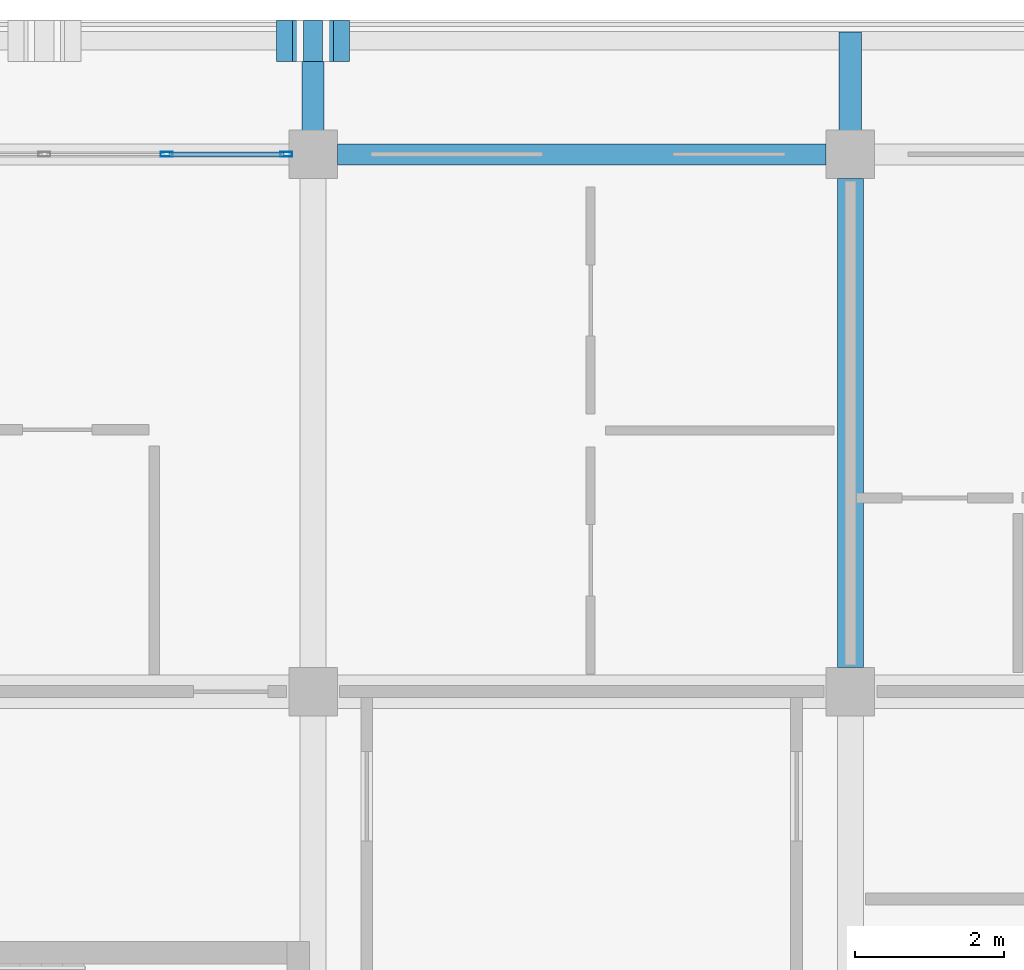
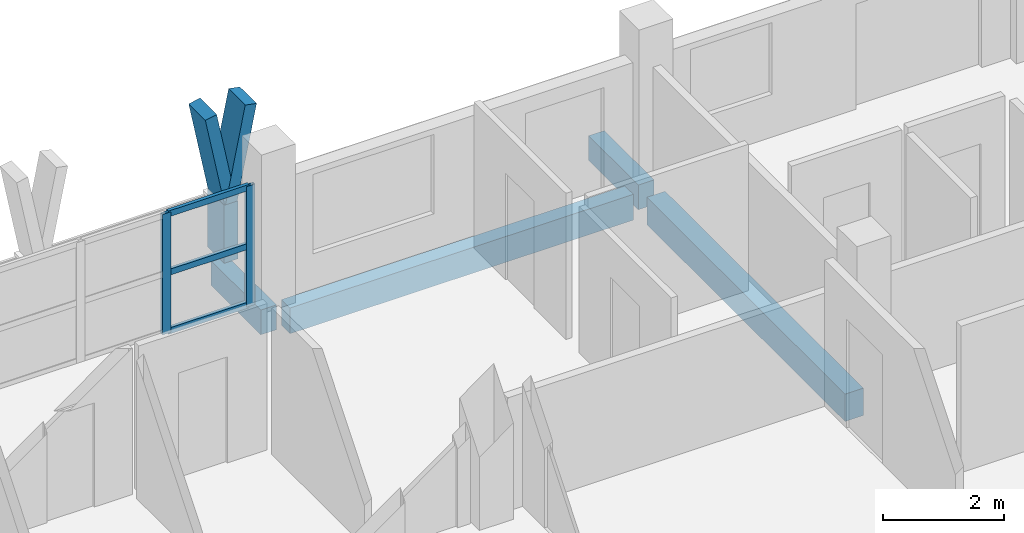
# One storey, part 20 of 78: 8 members, 4 beams, 1 element without a shape of its own.
"""IFC4 building model written with IfcOpenShell, lengths in metres."""

from ifc_helpers import new_model, si_unit, direction, frame, origin, origin_2d, place, context, subcontext, project, spatial, rectangle, hollow_rectangle, extrude, material, material_profile, profile_set, type_object, element, aggregate, save


model = new_model("IFC4")

# Units and contexts
model_context = context("Model", 3, precision=1e-05, world=origin(), true_north=direction((0.0, 1.0)))
body_context = subcontext(model_context, "Body", "Model", "MODEL_VIEW")
ifc_project = project(units=[si_unit("LENGTHUNIT", "METRE"), si_unit("AREAUNIT", "SQUARE_METRE"), si_unit("VOLUMEUNIT", "CUBIC_METRE"), si_unit("PLANEANGLEUNIT", "RADIAN"), si_unit("MASSUNIT", "GRAM", prefix="KILO")], contexts=[model_context])

# Site, building, storey
site_placement = place(None, origin())
site = spatial("IfcSite", under=ifc_project, at=site_placement, CompositionType="ELEMENT")
building_placement = place(site_placement, origin())
building = spatial("IfcBuilding", under=site, at=building_placement, Name="Suanplinth Sawtooth Commons", CompositionType="ELEMENT")
storey_placement = place(building_placement, frame((0.0, 0.0, 15.39990234375)))
storey = spatial("IfcBuildingStorey", under=building, at=storey_placement, Name="L04", CompositionType="ELEMENT", Elevation=15.39990234375)

# Beams
ifc_material_1 = material(Name="Precast concrete C40/50", Category="concrete")
ifc_material_profile_1 = material_profile(ifc_material_1, rectangle(XDim=0.35009765625, YDim=0.550048828125, at=origin_2d()), Name="PC-BM 350x550")
ifc_profile_set_1 = profile_set([ifc_material_profile_1], Name="Precast concrete C40/50")
beam_type_1 = type_object("IfcBeamType", Name="B-06", PredefinedType="BEAM", material=ifc_profile_set_1)
beam_1_placement = place(storey_placement, frame((72.0, 115.52490234375, -0.494873046875), z_axis=(0.0, 1.0, 0.0), x_axis=(-1.0, 0.0, 0.0)))
element("IfcBeam", 1, at=beam_1_placement, inside=storey, type_object=beam_type_1, Name="BMY-L04-A-10-16", PredefinedType="BEAM", context=body_context, shape_type="SweptSolid", body=[
    extrude(rectangle(XDim=0.35009765625, YDim=0.550048828125, at=origin_2d()), origin(), (0.0, 0.0, 1.0), 6.550048828125),
])
ifc_material_profile_2 = material_profile(ifc_material_1, rectangle(XDim=0.300048828125, YDim=0.5, at=origin_2d()), Name="PC-BM 300x500")
ifc_profile_set_2 = profile_set([ifc_material_profile_2], Name="Precast concrete C40/50")
beam_type_2 = type_object("IfcBeamType", Name="B-07", PredefinedType="BEAM", material=ifc_profile_set_2)
for number, where, z_axis, x_axis, name in (
    (2, (64.800048828125, 122.39990234375, -0.429931640625), (0.0, 1.0, 0.0), (-1.0, 0.0, 0.0), "Balcony Outrigger L04-A-N-9"),
    (3, (72.0, 122.39990234375, -0.429931640625), (0.0, 1.0, 0.0), (-1.0, 0.0, 0.0), "Balcony Outrigger L04-A-N-10"),
):
    element("IfcBeam", number, at=place(storey_placement, frame(where, z_axis=z_axis, x_axis=x_axis)), inside=storey, type_object=beam_type_2, Name=name, PredefinedType="BEAM", context=body_context, shape_type="SweptSolid", body=[
        extrude(rectangle(XDim=0.300048828125, YDim=0.5, at=origin_2d()), origin(), (0.0, 0.0, 1.0), 1.64013671875),
    ])
ifc_material_profile_3 = material_profile(ifc_material_1, rectangle(XDim=0.280029296875, YDim=0.52001953125, at=origin_2d()), Name="PC-SP 280x520")
ifc_profile_set_3 = profile_set([ifc_material_profile_3], Name="Precast concrete C40/50")
beam_type_3 = type_object("IfcBeamType", Name="B-08", PredefinedType="SPANDREL", material=ifc_profile_set_3)
beam_2_placement = place(storey_placement, frame((65.125, 122.39990234375, -0.47998046875), z_axis=(1.0, 0.0, 0.0), x_axis=(0.0, 1.0, 0.0)))
element("IfcBeam", 4, at=beam_2_placement, inside=storey, type_object=beam_type_3, Name="BMX-L04-A-9-17", PredefinedType="SPANDREL", context=body_context, shape_type="SweptSolid", body=[
    extrude(rectangle(XDim=0.280029296875, YDim=0.52001953125, at=origin_2d()), origin(), (0.0, 0.0, 1.0), 6.550048828125),
])

# Members
ifc_material_2 = material(Name="Pigmented precast concrete C40/50", Category="concrete")
ifc_material_profile_4 = material_profile(ifc_material_2, rectangle(XDim=0.260009765625, YDim=0.550048828125, at=origin_2d()), Name="PC-FIN 260x550")
ifc_profile_set_4 = profile_set([ifc_material_profile_4], Name="Pigmented precast concrete C40/50")
member_type_1 = type_object("IfcMemberType", Name="M-09", PredefinedType="USERDEFINED", material=ifc_profile_set_4)
member_1_placement = place(storey_placement, frame((64.800048828125, 123.919921875, 0.0), z_axis=(0.0, 0.0, 1.0), x_axis=(1.0, 0.0, 0.0)))
element("IfcMember", 5, at=member_1_placement, inside=storey, type_object=member_type_1, Name="Y-Blade Stem L04-A-N-06", ObjectType="SHADING FIN", PredefinedType="USERDEFINED", context=body_context, shape_type="SweptSolid", body=[
    extrude(rectangle(XDim=0.260009765625, YDim=0.550048828125, at=origin_2d()), origin(), (0.0, 0.0, 1.0), 1.170166015625),
])
ifc_material_profile_5 = material_profile(ifc_material_2, rectangle(XDim=0.219970703125, YDim=0.550048828125, at=origin_2d()), Name="PC-FIN 220x550")
ifc_profile_set_5 = profile_set([ifc_material_profile_5], Name="Pigmented precast concrete C40/50")
member_type_2 = type_object("IfcMemberType", Name="M-10", PredefinedType="USERDEFINED", material=ifc_profile_set_5)
member_2_placement = place(storey_placement, frame((64.800048828125, 123.919921875, 1.130126953125), z_axis=(-0.196431120402, 0.0, 0.980517626021), x_axis=(0.980517626021, 0.0, 0.196431120402)))
element("IfcMember", 6, at=member_2_placement, inside=storey, type_object=member_type_2, Name="Y-Blade Arm L L04-A-N-06", ObjectType="SHADING FIN", PredefinedType="USERDEFINED", context=body_context, shape_type="SweptSolid", body=[
    extrude(rectangle(XDim=0.219970703125, YDim=0.550048828125, at=origin_2d()), origin(), (0.0, 0.0, 1.0), 1.937744140625),
])
member_3_placement = place(storey_placement, frame((64.800048828125, 123.919921875, 1.130126953125), z_axis=(0.196309979414, 0.0, 0.980541886909), x_axis=(-0.980541886909, 0.0, 0.196309979414)))
element("IfcMember", 7, at=member_3_placement, inside=storey, type_object=member_type_2, Name="Y-Blade Arm R L04-A-N-06", ObjectType="SHADING FIN", PredefinedType="USERDEFINED", context=body_context, shape_type="SweptSolid", body=[
    extrude(rectangle(XDim=0.219970703125, YDim=0.550048828125, at=origin_2d()), origin(), (0.0, 0.0, 1.0), 1.9375),
])

# Curtain wall, members
ifc_material_3 = material(Name="Anodized aluminium and low-E glazing", Category="aluminium")
curtain_wall_type = type_object("IfcCurtainWallType", Name="CW-06", PredefinedType="USERDEFINED", material=ifc_material_3)
curtain_wall_placement = place(storey_placement, origin())
curtain_wall = element("IfcCurtainWall", 8, at=curtain_wall_placement, inside=storey, type_object=curtain_wall_type, Name="Curtain Wall CW-L04-A-LOUNGE-8", ObjectType="CURTAIN WALL", PredefinedType="USERDEFINED")
ifc_material_4 = material(Name="Anodized aluminium 6063-T6", Category="aluminium")
ifc_material_profile_6 = material_profile(ifc_material_4, hollow_rectangle(XDim=0.06494140625, YDim=0.159912109375, WallThickness=0.00390625, at=origin_2d()), Name="ALU-MUL 65x160")
ifc_profile_set_6 = profile_set([ifc_material_profile_6], Name="Anodized aluminium 6063-T6")
member_type_3 = type_object("IfcMemberType", Name="M-13", PredefinedType="MULLION", material=ifc_profile_set_6)
member_4_placement = place(storey_placement, frame((62.83740234375, 122.39990234375, 0.0), z_axis=(0.0, 0.0, 1.0), x_axis=(0.0, 1.0, 0.0)))
member_4 = element("IfcMember", 9, at=member_4_placement, type_object=member_type_3, Name="CW-06 mullion 4", PredefinedType="MULLION", context=body_context, shape_type="SweptSolid", body=[
    extrude(hollow_rectangle(XDim=0.06494140625, YDim=0.159912109375, WallThickness=0.00390625, at=origin_2d()), origin(), (0.0, 0.0, 1.0), 2.43017578125),
])
member_5_placement = place(storey_placement, frame((64.4423828125, 122.39990234375, 0.0), z_axis=(0.0, 0.0, 1.0), x_axis=(0.0, 1.0, 0.0)))
member_5 = element("IfcMember", 10, at=member_5_placement, type_object=member_type_3, Name="CW-06 mullion 5", PredefinedType="MULLION", context=body_context, shape_type="SweptSolid", body=[
    extrude(hollow_rectangle(XDim=0.06494140625, YDim=0.159912109375, WallThickness=0.00390625, at=origin_2d()), origin(), (0.0, 0.0, 1.0), 2.43017578125),
])
ifc_material_profile_7 = material_profile(ifc_material_4, hollow_rectangle(XDim=0.06494140625, YDim=0.1201171875, WallThickness=0.00390625, at=origin_2d()), Name="ALU-TRN 65x120")
ifc_profile_set_7 = profile_set([ifc_material_profile_7], Name="Anodized aluminium 6063-T6")
member_type_4 = type_object("IfcMemberType", Name="M-15", PredefinedType="USERDEFINED", material=ifc_profile_set_7)
member_6_placement = place(storey_placement, frame((62.8701171875, 122.39990234375, 0.03271484375), z_axis=(1.0, 0.0, 0.0), x_axis=(0.0, 1.0, 0.0)))
member_6 = element("IfcMember", 11, at=member_6_placement, type_object=member_type_4, Name="CW-06 transom 4.1", ObjectType="TRANSOM", PredefinedType="USERDEFINED", context=body_context, shape_type="SweptSolid", body=[
    extrude(hollow_rectangle(XDim=0.06494140625, YDim=0.1201171875, WallThickness=0.00390625, at=origin_2d()), origin(), (0.0, 0.0, 1.0), 1.539794921875),
])
member_7_placement = place(storey_placement, frame((62.8701171875, 122.39990234375, 1.215087890625), z_axis=(1.0, 0.0, 0.0), x_axis=(0.0, 1.0, 0.0)))
member_7 = element("IfcMember", 12, at=member_7_placement, type_object=member_type_4, Name="CW-06 transom 4.2", ObjectType="TRANSOM", PredefinedType="USERDEFINED", context=body_context, shape_type="SweptSolid", body=[
    extrude(hollow_rectangle(XDim=0.06494140625, YDim=0.1201171875, WallThickness=0.00390625, at=origin_2d()), origin(), (0.0, 0.0, 1.0), 1.539794921875),
])
member_8_placement = place(storey_placement, frame((62.8701171875, 122.39990234375, 2.397705078125), z_axis=(1.0, 0.0, 0.0), x_axis=(0.0, 1.0, 0.0)))
member_8 = element("IfcMember", 13, at=member_8_placement, type_object=member_type_4, Name="CW-06 transom 4.3", ObjectType="TRANSOM", PredefinedType="USERDEFINED", context=body_context, shape_type="SweptSolid", body=[
    extrude(hollow_rectangle(XDim=0.06494140625, YDim=0.1201171875, WallThickness=0.00390625, at=origin_2d()), origin(), (0.0, 0.0, 1.0), 1.539794921875),
])
aggregate(curtain_wall, [member_4, member_5, member_6, member_7, member_8])

save(model, "model.ifc")
